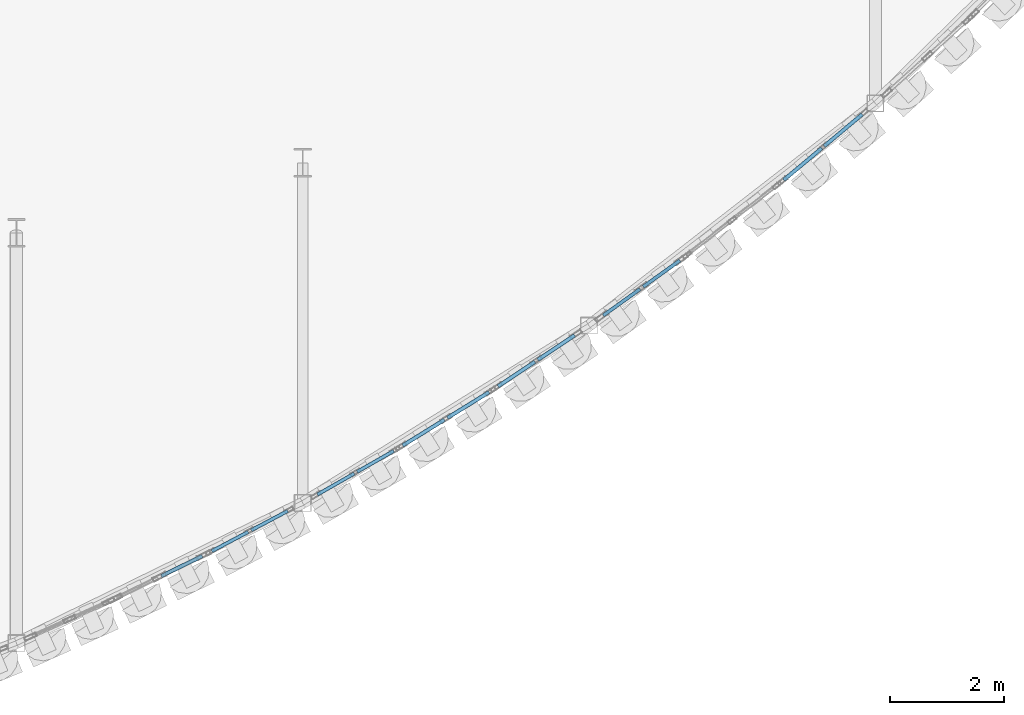
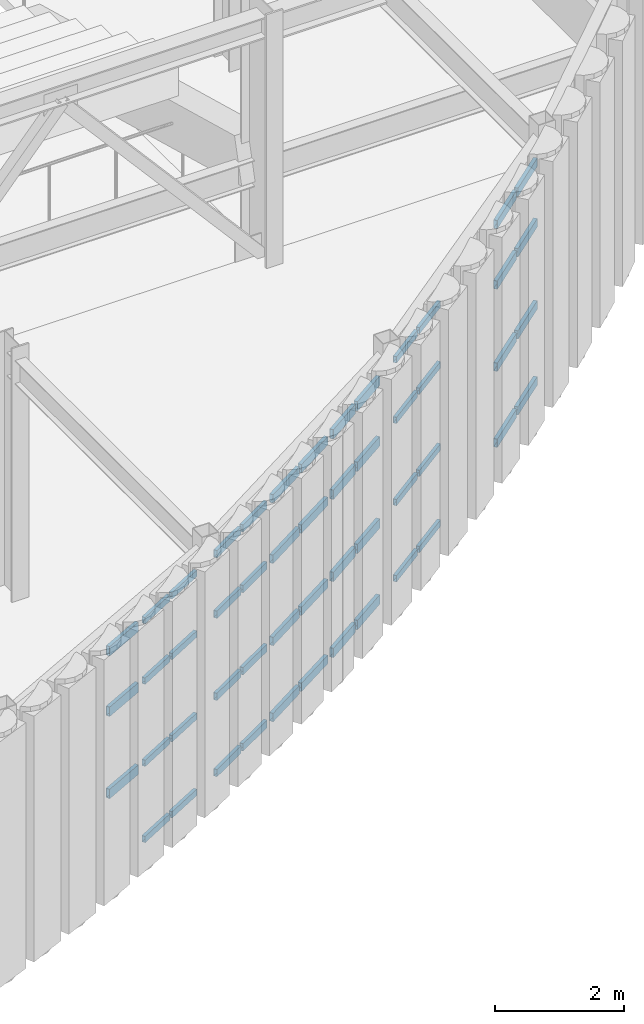
# One storey, part 72 of 121: 51 members, 7 elements without a shape of their own.
"""IFC4 building model written with IfcOpenShell, lengths in metres."""

from ifc_helpers import new_model, si_unit, direction, frame, origin, origin_2d, place, context, subcontext, project, spatial, hollow_rectangle, extrude, material, layer, layer_set, material_profile, profile_set, type_object, element, aggregate, save


model = new_model("IFC4")

# Units and contexts
model_context = context("Model", 3, precision=1e-05, world=origin(), true_north=direction((0.0, 1.0)))
body_context = subcontext(model_context, "Body", "Model", "MODEL_VIEW")
ifc_project = project(units=[si_unit("LENGTHUNIT", "METRE"), si_unit("AREAUNIT", "SQUARE_METRE"), si_unit("VOLUMEUNIT", "CUBIC_METRE"), si_unit("PLANEANGLEUNIT", "RADIAN"), si_unit("MASSUNIT", "GRAM", prefix="KILO")], contexts=[model_context])

# Site, building, storey
site_placement = place(None, origin())
site = spatial("IfcSite", under=ifc_project, at=site_placement, CompositionType="ELEMENT")
building_placement = place(site_placement, origin())
building = spatial("IfcBuilding", under=site, at=building_placement, Name="Solvadek Multi-Sports Hall", CompositionType="ELEMENT")
storey_placement = place(building_placement, frame((0.0, 0.0, 4.800048828125)))
storey = spatial("IfcBuildingStorey", under=building, at=storey_placement, Name="L01", CompositionType="ELEMENT", Elevation=4.800048828125)

# Curtain wall, members
ifc_material = material(Name="Anodised aluminium", Category="aluminium")
ifc_layer_1 = layer(ifc_material, 0.159912109375, Name="Anodised aluminium")
ifc_layer_set_1 = layer_set([ifc_layer_1], Name="Anodised aluminium")
curtain_wall_type_1 = type_object("IfcCurtainWallType", Name="ENV-CW-163X420", PredefinedType="USERDEFINED", material=ifc_layer_set_1)
curtain_wall_1_placement = place(storey_placement, origin())
curtain_wall_1 = element("IfcCurtainWall", 1, at=curtain_wall_1_placement, inside=storey, type_object=curtain_wall_type_1, Name="L01 Crescent Curved Curtain Wall #95", ObjectType="CURTAIN WALL", PredefinedType="USERDEFINED")
ifc_material_profile_1 = material_profile(ifc_material, hollow_rectangle(XDim=0.06005859375, YDim=0.1201171875, WallThickness=0.00390625, at=origin_2d()), Name="ALU-T 120x60x4")
ifc_profile_set_1 = profile_set([ifc_material_profile_1], Name="Anodised aluminium")
member_type_1 = type_object("IfcMemberType", Name="ENV-CWT-01", PredefinedType="USERDEFINED", material=ifc_profile_set_1)
member_1_placement = place(storey_placement, frame((120.07958984375, -6.825927734375, 0.030029296875), z_axis=(0.88354227027, 0.468351424302, 0.0), x_axis=(-0.468351424302, 0.88354227027, 0.0)))
member_1 = element("IfcMember", 2, at=member_1_placement, type_object=member_type_1, Name="CW-15 transom 1.1", ObjectType="TRANSOM", PredefinedType="USERDEFINED", context=body_context, shape_type="SweptSolid", body=[
    extrude(hollow_rectangle(XDim=0.06005859375, YDim=0.1201171875, WallThickness=0.00390625, at=origin_2d()), origin(), (0.0, 0.0, 1.0), 0.7255859375),
])
member_2_placement = place(storey_placement, frame((120.07958984375, -6.825927734375, 1.469970703125), z_axis=(0.88354227027, 0.468351424302, 0.0), x_axis=(-0.468351424302, 0.88354227027, 0.0)))
member_2 = element("IfcMember", 3, at=member_2_placement, type_object=member_type_1, Name="CW-15 transom 1.2", ObjectType="TRANSOM", PredefinedType="USERDEFINED", context=body_context, shape_type="SweptSolid", body=[
    extrude(hollow_rectangle(XDim=0.06005859375, YDim=0.1201171875, WallThickness=0.00390625, at=origin_2d()), origin(), (0.0, 0.0, 1.0), 0.7255859375),
])
member_3_placement = place(storey_placement, frame((120.07958984375, -6.825927734375, 3.02392578125), z_axis=(0.88354227027, 0.468351424302, 0.0), x_axis=(-0.468351424302, 0.88354227027, 0.0)))
member_3 = element("IfcMember", 4, at=member_3_placement, type_object=member_type_1, Name="CW-15 transom 1.3", ObjectType="TRANSOM", PredefinedType="USERDEFINED", context=body_context, shape_type="SweptSolid", body=[
    extrude(hollow_rectangle(XDim=0.06005859375, YDim=0.1201171875, WallThickness=0.00390625, at=origin_2d()), origin(), (0.0, 0.0, 1.0), 0.7255859375),
])
member_4_placement = place(storey_placement, frame((120.07958984375, -6.825927734375, 4.169921875), z_axis=(0.88354227027, 0.468351424302, 0.0), x_axis=(-0.468351424302, 0.88354227027, 0.0)))
member_4 = element("IfcMember", 5, at=member_4_placement, type_object=member_type_1, Name="CW-15 transom 1.4", ObjectType="TRANSOM", PredefinedType="USERDEFINED", context=body_context, shape_type="SweptSolid", body=[
    extrude(hollow_rectangle(XDim=0.06005859375, YDim=0.1201171875, WallThickness=0.00390625, at=origin_2d()), origin(), (0.0, 0.0, 1.0), 0.7255859375),
])
member_5_placement = place(storey_placement, frame((120.773681640625, -6.4580078125, 0.030029296875), z_axis=(0.883681482823, 0.468088706248, 0.0), x_axis=(-0.468088706248, 0.883681482823, 0.0)))
member_5 = element("IfcMember", 6, at=member_5_placement, type_object=member_type_1, Name="CW-15 transom 2.1", ObjectType="TRANSOM", PredefinedType="USERDEFINED", context=body_context, shape_type="SweptSolid", body=[
    extrude(hollow_rectangle(XDim=0.06005859375, YDim=0.1201171875, WallThickness=0.00390625, at=origin_2d()), origin(), (0.0, 0.0, 1.0), 0.7255859375),
])
member_6_placement = place(storey_placement, frame((120.773681640625, -6.4580078125, 1.469970703125), z_axis=(0.883681482823, 0.468088706248, 0.0), x_axis=(-0.468088706248, 0.883681482823, 0.0)))
member_6 = element("IfcMember", 7, at=member_6_placement, type_object=member_type_1, Name="CW-15 transom 2.2", ObjectType="TRANSOM", PredefinedType="USERDEFINED", context=body_context, shape_type="SweptSolid", body=[
    extrude(hollow_rectangle(XDim=0.06005859375, YDim=0.1201171875, WallThickness=0.00390625, at=origin_2d()), origin(), (0.0, 0.0, 1.0), 0.7255859375),
])
member_7_placement = place(storey_placement, frame((120.773681640625, -6.4580078125, 3.02392578125), z_axis=(0.883681482823, 0.468088706248, 0.0), x_axis=(-0.468088706248, 0.883681482823, 0.0)))
member_7 = element("IfcMember", 8, at=member_7_placement, type_object=member_type_1, Name="CW-15 transom 2.3", ObjectType="TRANSOM", PredefinedType="USERDEFINED", context=body_context, shape_type="SweptSolid", body=[
    extrude(hollow_rectangle(XDim=0.06005859375, YDim=0.1201171875, WallThickness=0.00390625, at=origin_2d()), origin(), (0.0, 0.0, 1.0), 0.7255859375),
])
member_8_placement = place(storey_placement, frame((120.773681640625, -6.4580078125, 4.169921875), z_axis=(0.883681482823, 0.468088706248, 0.0), x_axis=(-0.468088706248, 0.883681482823, 0.0)))
member_8 = element("IfcMember", 9, at=member_8_placement, type_object=member_type_1, Name="CW-15 transom 2.4", ObjectType="TRANSOM", PredefinedType="USERDEFINED", context=body_context, shape_type="SweptSolid", body=[
    extrude(hollow_rectangle(XDim=0.06005859375, YDim=0.1201171875, WallThickness=0.00390625, at=origin_2d()), origin(), (0.0, 0.0, 1.0), 0.7255859375),
])
aggregate(curtain_wall_1, [member_1, member_2, member_3, member_4, member_5, member_6, member_7, member_8])

ifc_layer_2 = layer(ifc_material, 0.159912109375, Name="Anodised aluminium")
ifc_layer_set_2 = layer_set([ifc_layer_2], Name="Anodised aluminium")
curtain_wall_type_2 = type_object("IfcCurtainWallType", Name="ENV-CW-180X420", PredefinedType="USERDEFINED", material=ifc_layer_set_2)
curtain_wall_2_placement = place(storey_placement, origin())
curtain_wall_2 = element("IfcCurtainWall", 10, at=curtain_wall_2_placement, inside=storey, type_object=curtain_wall_type_2, Name="L01 Crescent Curved Curtain Wall #103", ObjectType="CURTAIN WALL", PredefinedType="USERDEFINED")
member_9_placement = place(storey_placement, frame((126.9716796875, -2.67626953125, 0.030029296875), z_axis=(0.812110924357, 0.583503081859, 0.0), x_axis=(-0.583503081859, 0.812110924357, 0.0)))
member_9 = element("IfcMember", 11, at=member_9_placement, type_object=member_type_1, Name="CW-33 transom 1.1", ObjectType="TRANSOM", PredefinedType="USERDEFINED", context=body_context, shape_type="SweptSolid", body=[
    extrude(hollow_rectangle(XDim=0.06005859375, YDim=0.1201171875, WallThickness=0.00390625, at=origin_2d()), origin(), (0.0, 0.0, 1.0), 0.79443359375),
])
member_10_placement = place(storey_placement, frame((126.9716796875, -2.67626953125, 1.469970703125), z_axis=(0.812110924357, 0.583503081859, 0.0), x_axis=(-0.583503081859, 0.812110924357, 0.0)))
member_10 = element("IfcMember", 12, at=member_10_placement, type_object=member_type_1, Name="CW-33 transom 1.2", ObjectType="TRANSOM", PredefinedType="USERDEFINED", context=body_context, shape_type="SweptSolid", body=[
    extrude(hollow_rectangle(XDim=0.06005859375, YDim=0.1201171875, WallThickness=0.00390625, at=origin_2d()), origin(), (0.0, 0.0, 1.0), 0.79443359375),
])
member_11_placement = place(storey_placement, frame((126.9716796875, -2.67626953125, 3.02392578125), z_axis=(0.812110924357, 0.583503081859, 0.0), x_axis=(-0.583503081859, 0.812110924357, 0.0)))
member_11 = element("IfcMember", 13, at=member_11_placement, type_object=member_type_1, Name="CW-33 transom 1.3", ObjectType="TRANSOM", PredefinedType="USERDEFINED", context=body_context, shape_type="SweptSolid", body=[
    extrude(hollow_rectangle(XDim=0.06005859375, YDim=0.1201171875, WallThickness=0.00390625, at=origin_2d()), origin(), (0.0, 0.0, 1.0), 0.79443359375),
])
member_12_placement = place(storey_placement, frame((126.9716796875, -2.67626953125, 4.169921875), z_axis=(0.812110924357, 0.583503081859, 0.0), x_axis=(-0.583503081859, 0.812110924357, 0.0)))
member_12 = element("IfcMember", 14, at=member_12_placement, type_object=member_type_1, Name="CW-33 transom 1.4", ObjectType="TRANSOM", PredefinedType="USERDEFINED", context=body_context, shape_type="SweptSolid", body=[
    extrude(hollow_rectangle(XDim=0.06005859375, YDim=0.1201171875, WallThickness=0.00390625, at=origin_2d()), origin(), (0.0, 0.0, 1.0), 0.79443359375),
])
member_13_placement = place(storey_placement, frame((127.673583984375, -2.171630859375, 0.030029296875), z_axis=(0.812256530307, 0.583300376285, 0.0), x_axis=(-0.583300376285, 0.812256530307, 0.0)))
member_13 = element("IfcMember", 15, at=member_13_placement, type_object=member_type_1, Name="CW-33 transom 2.1", ObjectType="TRANSOM", PredefinedType="USERDEFINED", context=body_context, shape_type="SweptSolid", body=[
    extrude(hollow_rectangle(XDim=0.06005859375, YDim=0.1201171875, WallThickness=0.00390625, at=origin_2d()), origin(), (0.0, 0.0, 1.0), 0.79443359375),
])
member_14_placement = place(storey_placement, frame((127.673583984375, -2.171630859375, 1.469970703125), z_axis=(0.812256530307, 0.583300376285, 0.0), x_axis=(-0.583300376285, 0.812256530307, 0.0)))
member_14 = element("IfcMember", 16, at=member_14_placement, type_object=member_type_1, Name="CW-33 transom 2.2", ObjectType="TRANSOM", PredefinedType="USERDEFINED", context=body_context, shape_type="SweptSolid", body=[
    extrude(hollow_rectangle(XDim=0.06005859375, YDim=0.1201171875, WallThickness=0.00390625, at=origin_2d()), origin(), (0.0, 0.0, 1.0), 0.79443359375),
])
member_15_placement = place(storey_placement, frame((127.673583984375, -2.171630859375, 3.02392578125), z_axis=(0.812256530307, 0.583300376285, 0.0), x_axis=(-0.583300376285, 0.812256530307, 0.0)))
member_15 = element("IfcMember", 17, at=member_15_placement, type_object=member_type_1, Name="CW-33 transom 2.3", ObjectType="TRANSOM", PredefinedType="USERDEFINED", context=body_context, shape_type="SweptSolid", body=[
    extrude(hollow_rectangle(XDim=0.06005859375, YDim=0.1201171875, WallThickness=0.00390625, at=origin_2d()), origin(), (0.0, 0.0, 1.0), 0.79443359375),
])
member_16_placement = place(storey_placement, frame((127.673583984375, -2.171630859375, 4.169921875), z_axis=(0.812256530307, 0.583300376285, 0.0), x_axis=(-0.583300376285, 0.812256530307, 0.0)))
member_16 = element("IfcMember", 18, at=member_16_placement, type_object=member_type_1, Name="CW-33 transom 2.4", ObjectType="TRANSOM", PredefinedType="USERDEFINED", context=body_context, shape_type="SweptSolid", body=[
    extrude(hollow_rectangle(XDim=0.06005859375, YDim=0.1201171875, WallThickness=0.00390625, at=origin_2d()), origin(), (0.0, 0.0, 1.0), 0.79443359375),
])
aggregate(curtain_wall_2, [member_9, member_10, member_11, member_12, member_13, member_14, member_15, member_16])

ifc_layer_3 = layer(ifc_material, 0.159912109375, Name="Anodised aluminium")
ifc_layer_set_3 = layer_set([ifc_layer_3], Name="Anodised aluminium")
curtain_wall_type_3 = type_object("IfcCurtainWallType", Name="ENV-CW-167X420", PredefinedType="USERDEFINED", material=ifc_layer_set_3)
curtain_wall_3_placement = place(storey_placement, origin())
curtain_wall_3 = element("IfcCurtainWall", 19, at=curtain_wall_3_placement, inside=storey, type_object=curtain_wall_type_3, Name="L01 Crescent Curved Curtain Wall #97", ObjectType="CURTAIN WALL", PredefinedType="USERDEFINED")
ifc_material_profile_2 = material_profile(ifc_material, hollow_rectangle(XDim=0.06005859375, YDim=0.139892578125, WallThickness=0.00390625, at=origin_2d()), Name="ALU-T 140x60x4")
ifc_profile_set_2 = profile_set([ifc_material_profile_2], Name="Anodised aluminium")
member_type_2 = type_object("IfcMemberType", Name="ENV-CWT-02", PredefinedType="USERDEFINED", material=ifc_profile_set_2)
member_17_placement = place(storey_placement, frame((121.9404296875, -5.828857421875, 0.030029296875), z_axis=(0.867838420174, 0.49684653211, 0.0), x_axis=(-0.49684653211, 0.867838420174, 0.0)))
member_17 = element("IfcMember", 20, at=member_17_placement, type_object=member_type_2, Name="CW-30 transom 1.1", ObjectType="TRANSOM", PredefinedType="USERDEFINED", context=body_context, shape_type="SweptSolid", body=[
    extrude(hollow_rectangle(XDim=0.06005859375, YDim=0.139892578125, WallThickness=0.00390625, at=origin_2d()), origin(), (0.0, 0.0, 1.0), 0.742919921875),
])
member_18_placement = place(storey_placement, frame((121.9404296875, -5.828857421875, 1.469970703125), z_axis=(0.867838420174, 0.49684653211, 0.0), x_axis=(-0.49684653211, 0.867838420174, 0.0)))
member_18 = element("IfcMember", 21, at=member_18_placement, type_object=member_type_2, Name="CW-30 transom 1.2", ObjectType="TRANSOM", PredefinedType="USERDEFINED", context=body_context, shape_type="SweptSolid", body=[
    extrude(hollow_rectangle(XDim=0.06005859375, YDim=0.139892578125, WallThickness=0.00390625, at=origin_2d()), origin(), (0.0, 0.0, 1.0), 0.742919921875),
])
member_19_placement = place(storey_placement, frame((121.9404296875, -5.828857421875, 3.02392578125), z_axis=(0.867838420174, 0.49684653211, 0.0), x_axis=(-0.49684653211, 0.867838420174, 0.0)))
member_19 = element("IfcMember", 22, at=member_19_placement, type_object=member_type_2, Name="CW-30 transom 1.3", ObjectType="TRANSOM", PredefinedType="USERDEFINED", context=body_context, shape_type="SweptSolid", body=[
    extrude(hollow_rectangle(XDim=0.06005859375, YDim=0.139892578125, WallThickness=0.00390625, at=origin_2d()), origin(), (0.0, 0.0, 1.0), 0.742919921875),
])
member_20_placement = place(storey_placement, frame((121.9404296875, -5.828857421875, 4.169921875), z_axis=(0.867838420174, 0.49684653211, 0.0), x_axis=(-0.49684653211, 0.867838420174, 0.0)))
member_20 = element("IfcMember", 23, at=member_20_placement, type_object=member_type_2, Name="CW-30 transom 1.4", ObjectType="TRANSOM", PredefinedType="USERDEFINED", context=body_context, shape_type="SweptSolid", body=[
    extrude(hollow_rectangle(XDim=0.06005859375, YDim=0.139892578125, WallThickness=0.00390625, at=origin_2d()), origin(), (0.0, 0.0, 1.0), 0.742919921875),
])
member_21_placement = place(storey_placement, frame((122.63720703125, -5.4296875, 0.030029296875), z_axis=(0.867838420174, 0.49684653211, 0.0), x_axis=(-0.49684653211, 0.867838420174, 0.0)))
member_21 = element("IfcMember", 24, at=member_21_placement, type_object=member_type_2, Name="CW-30 transom 2.1", ObjectType="TRANSOM", PredefinedType="USERDEFINED", context=body_context, shape_type="SweptSolid", body=[
    extrude(hollow_rectangle(XDim=0.06005859375, YDim=0.139892578125, WallThickness=0.00390625, at=origin_2d()), origin(), (0.0, 0.0, 1.0), 0.742919921875),
])
member_22_placement = place(storey_placement, frame((122.63720703125, -5.4296875, 1.469970703125), z_axis=(0.867838420174, 0.49684653211, 0.0), x_axis=(-0.49684653211, 0.867838420174, 0.0)))
member_22 = element("IfcMember", 25, at=member_22_placement, type_object=member_type_2, Name="CW-30 transom 2.2", ObjectType="TRANSOM", PredefinedType="USERDEFINED", context=body_context, shape_type="SweptSolid", body=[
    extrude(hollow_rectangle(XDim=0.06005859375, YDim=0.139892578125, WallThickness=0.00390625, at=origin_2d()), origin(), (0.0, 0.0, 1.0), 0.742919921875),
])
member_23_placement = place(storey_placement, frame((122.63720703125, -5.4296875, 3.02392578125), z_axis=(0.867838420174, 0.49684653211, 0.0), x_axis=(-0.49684653211, 0.867838420174, 0.0)))
member_23 = element("IfcMember", 26, at=member_23_placement, type_object=member_type_2, Name="CW-30 transom 2.3", ObjectType="TRANSOM", PredefinedType="USERDEFINED", context=body_context, shape_type="SweptSolid", body=[
    extrude(hollow_rectangle(XDim=0.06005859375, YDim=0.139892578125, WallThickness=0.00390625, at=origin_2d()), origin(), (0.0, 0.0, 1.0), 0.742919921875),
])
member_24_placement = place(storey_placement, frame((122.63720703125, -5.4296875, 4.169921875), z_axis=(0.867838420174, 0.49684653211, 0.0), x_axis=(-0.49684653211, 0.867838420174, 0.0)))
member_24 = element("IfcMember", 27, at=member_24_placement, type_object=member_type_2, Name="CW-30 transom 2.4", ObjectType="TRANSOM", PredefinedType="USERDEFINED", context=body_context, shape_type="SweptSolid", body=[
    extrude(hollow_rectangle(XDim=0.06005859375, YDim=0.139892578125, WallThickness=0.00390625, at=origin_2d()), origin(), (0.0, 0.0, 1.0), 0.742919921875),
])
aggregate(curtain_wall_3, [member_17, member_18, member_19, member_20, member_21, member_22, member_23, member_24])

ifc_layer_4 = layer(ifc_material, 0.159912109375, Name="Anodised aluminium")
ifc_layer_set_4 = layer_set([ifc_layer_4], Name="Anodised aluminium")
curtain_wall_type_4 = type_object("IfcCurtainWallType", Name="ENV-CW-192X420", PredefinedType="USERDEFINED", material=ifc_layer_set_4)
curtain_wall_4_placement = place(storey_placement, origin())
curtain_wall_4 = element("IfcCurtainWall", 28, at=curtain_wall_4_placement, inside=storey, type_object=curtain_wall_type_4, Name="L01 Crescent Curved Curtain Wall #99", ObjectType="CURTAIN WALL", PredefinedType="USERDEFINED")
ifc_material_profile_3 = material_profile(ifc_material, hollow_rectangle(XDim=0.06494140625, YDim=0.159912109375, WallThickness=0.00390625, at=origin_2d()), Name="ALU-T 160x65x4")
ifc_profile_set_3 = profile_set([ifc_material_profile_3], Name="Anodised aluminium")
member_type_3 = type_object("IfcMemberType", Name="ENV-CWT-03", PredefinedType="USERDEFINED", material=ifc_profile_set_3)
member_25_placement = place(storey_placement, frame((123.440673828125, -4.9658203125, 0.032470703125), z_axis=(0.850682270514, 0.525680201866, 0.0), x_axis=(-0.525680201866, 0.850682270514, 0.0)))
member_25 = element("IfcMember", 29, at=member_25_placement, type_object=member_type_3, Name="CW-31 transom 1.1", ObjectType="TRANSOM", PredefinedType="USERDEFINED", context=body_context, shape_type="SweptSolid", body=[
    extrude(hollow_rectangle(XDim=0.06494140625, YDim=0.159912109375, WallThickness=0.00390625, at=origin_2d()), origin(), (0.0, 0.0, 1.0), 0.860107421875),
])
member_26_placement = place(storey_placement, frame((123.440673828125, -4.9658203125, 1.469970703125), z_axis=(0.850682270514, 0.525680201866, 0.0), x_axis=(-0.525680201866, 0.850682270514, 0.0)))
member_26 = element("IfcMember", 30, at=member_26_placement, type_object=member_type_3, Name="CW-31 transom 1.2", ObjectType="TRANSOM", PredefinedType="USERDEFINED", context=body_context, shape_type="SweptSolid", body=[
    extrude(hollow_rectangle(XDim=0.06494140625, YDim=0.159912109375, WallThickness=0.00390625, at=origin_2d()), origin(), (0.0, 0.0, 1.0), 0.860107421875),
])
member_27_placement = place(storey_placement, frame((123.440673828125, -4.9658203125, 3.02392578125), z_axis=(0.850682270514, 0.525680201866, 0.0), x_axis=(-0.525680201866, 0.850682270514, 0.0)))
member_27 = element("IfcMember", 31, at=member_27_placement, type_object=member_type_3, Name="CW-31 transom 1.3", ObjectType="TRANSOM", PredefinedType="USERDEFINED", context=body_context, shape_type="SweptSolid", body=[
    extrude(hollow_rectangle(XDim=0.06494140625, YDim=0.159912109375, WallThickness=0.00390625, at=origin_2d()), origin(), (0.0, 0.0, 1.0), 0.860107421875),
])
member_28_placement = place(storey_placement, frame((123.440673828125, -4.9658203125, 4.16748046875), z_axis=(0.850682270514, 0.525680201866, 0.0), x_axis=(-0.525680201866, 0.850682270514, 0.0)))
member_28 = element("IfcMember", 32, at=member_28_placement, type_object=member_type_3, Name="CW-31 transom 1.4", ObjectType="TRANSOM", PredefinedType="USERDEFINED", context=body_context, shape_type="SweptSolid", body=[
    extrude(hollow_rectangle(XDim=0.06494140625, YDim=0.159912109375, WallThickness=0.00390625, at=origin_2d()), origin(), (0.0, 0.0, 1.0), 0.860107421875),
])
member_29_placement = place(storey_placement, frame((124.2275390625, -4.4794921875, 0.032470703125), z_axis=(0.850555333096, 0.525885562972, 0.0), x_axis=(-0.525885562972, 0.850555333096, 0.0)))
member_29 = element("IfcMember", 33, at=member_29_placement, type_object=member_type_3, Name="CW-31 transom 2.1", ObjectType="TRANSOM", PredefinedType="USERDEFINED", context=body_context, shape_type="SweptSolid", body=[
    extrude(hollow_rectangle(XDim=0.06494140625, YDim=0.159912109375, WallThickness=0.00390625, at=origin_2d()), origin(), (0.0, 0.0, 1.0), 0.8603515625),
])
member_30_placement = place(storey_placement, frame((124.2275390625, -4.4794921875, 1.469970703125), z_axis=(0.850555333096, 0.525885562972, 0.0), x_axis=(-0.525885562972, 0.850555333096, 0.0)))
member_30 = element("IfcMember", 34, at=member_30_placement, type_object=member_type_3, Name="CW-31 transom 2.2", ObjectType="TRANSOM", PredefinedType="USERDEFINED", context=body_context, shape_type="SweptSolid", body=[
    extrude(hollow_rectangle(XDim=0.06494140625, YDim=0.159912109375, WallThickness=0.00390625, at=origin_2d()), origin(), (0.0, 0.0, 1.0), 0.8603515625),
])
member_31_placement = place(storey_placement, frame((124.2275390625, -4.4794921875, 3.02392578125), z_axis=(0.850555333096, 0.525885562972, 0.0), x_axis=(-0.525885562972, 0.850555333096, 0.0)))
member_31 = element("IfcMember", 35, at=member_31_placement, type_object=member_type_3, Name="CW-31 transom 2.3", ObjectType="TRANSOM", PredefinedType="USERDEFINED", context=body_context, shape_type="SweptSolid", body=[
    extrude(hollow_rectangle(XDim=0.06494140625, YDim=0.159912109375, WallThickness=0.00390625, at=origin_2d()), origin(), (0.0, 0.0, 1.0), 0.8603515625),
])
member_32_placement = place(storey_placement, frame((124.2275390625, -4.4794921875, 4.16748046875), z_axis=(0.850555333096, 0.525885562972, 0.0), x_axis=(-0.525885562972, 0.850555333096, 0.0)))
member_32 = element("IfcMember", 36, at=member_32_placement, type_object=member_type_3, Name="CW-31 transom 2.4", ObjectType="TRANSOM", PredefinedType="USERDEFINED", context=body_context, shape_type="SweptSolid", body=[
    extrude(hollow_rectangle(XDim=0.06494140625, YDim=0.159912109375, WallThickness=0.00390625, at=origin_2d()), origin(), (0.0, 0.0, 1.0), 0.8603515625),
])
aggregate(curtain_wall_4, [member_25, member_26, member_27, member_28, member_29, member_30, member_31, member_32])

curtain_wall_5_placement = place(storey_placement, origin())
curtain_wall_5 = element("IfcCurtainWall", 37, at=curtain_wall_5_placement, inside=storey, type_object=curtain_wall_type_4, Name="L01 Crescent Curved Curtain Wall #107", ObjectType="CURTAIN WALL", PredefinedType="USERDEFINED")
member_33_placement = place(storey_placement, frame((130.14892578125, -0.29052734375, 0.032470703125), z_axis=(0.767162227969, 0.641453128434, 0.0), x_axis=(-0.641453128434, 0.767162227969, 0.0)))
member_33 = element("IfcMember", 38, at=member_33_placement, type_object=member_type_3, Name="CW-31 transom 1.1", ObjectType="TRANSOM", PredefinedType="USERDEFINED", context=body_context, shape_type="SweptSolid", body=[
    extrude(hollow_rectangle(XDim=0.06494140625, YDim=0.159912109375, WallThickness=0.00390625, at=origin_2d()), origin(), (0.0, 0.0, 1.0), 0.8701171875),
])
member_34_placement = place(storey_placement, frame((130.14892578125, -0.29052734375, 1.469970703125), z_axis=(0.767162227969, 0.641453128434, 0.0), x_axis=(-0.641453128434, 0.767162227969, 0.0)))
member_34 = element("IfcMember", 39, at=member_34_placement, type_object=member_type_3, Name="CW-31 transom 1.2", ObjectType="TRANSOM", PredefinedType="USERDEFINED", context=body_context, shape_type="SweptSolid", body=[
    extrude(hollow_rectangle(XDim=0.06494140625, YDim=0.159912109375, WallThickness=0.00390625, at=origin_2d()), origin(), (0.0, 0.0, 1.0), 0.8701171875),
])
member_35_placement = place(storey_placement, frame((130.14892578125, -0.29052734375, 3.02392578125), z_axis=(0.767162227969, 0.641453128434, 0.0), x_axis=(-0.641453128434, 0.767162227969, 0.0)))
member_35 = element("IfcMember", 40, at=member_35_placement, type_object=member_type_3, Name="CW-31 transom 1.3", ObjectType="TRANSOM", PredefinedType="USERDEFINED", context=body_context, shape_type="SweptSolid", body=[
    extrude(hollow_rectangle(XDim=0.06494140625, YDim=0.159912109375, WallThickness=0.00390625, at=origin_2d()), origin(), (0.0, 0.0, 1.0), 0.8701171875),
])
member_36_placement = place(storey_placement, frame((130.14892578125, -0.29052734375, 4.16748046875), z_axis=(0.767162227969, 0.641453128434, 0.0), x_axis=(-0.641453128434, 0.767162227969, 0.0)))
member_36 = element("IfcMember", 41, at=member_36_placement, type_object=member_type_3, Name="CW-31 transom 1.4", ObjectType="TRANSOM", PredefinedType="USERDEFINED", context=body_context, shape_type="SweptSolid", body=[
    extrude(hollow_rectangle(XDim=0.06494140625, YDim=0.159912109375, WallThickness=0.00390625, at=origin_2d()), origin(), (0.0, 0.0, 1.0), 0.8701171875),
])
member_37_placement = place(storey_placement, frame((130.862548828125, 0.305908203125, 0.032470703125), z_axis=(0.767184863093, 0.64142605641, 0.0), x_axis=(-0.64142605641, 0.767184863093, 0.0)))
member_37 = element("IfcMember", 42, at=member_37_placement, type_object=member_type_3, Name="CW-31 transom 2.1", ObjectType="TRANSOM", PredefinedType="USERDEFINED", context=body_context, shape_type="SweptSolid", body=[
    extrude(hollow_rectangle(XDim=0.06494140625, YDim=0.159912109375, WallThickness=0.00390625, at=origin_2d()), origin(), (0.0, 0.0, 1.0), 0.86962890625),
])
member_38_placement = place(storey_placement, frame((130.862548828125, 0.305908203125, 1.469970703125), z_axis=(0.767184863093, 0.64142605641, 0.0), x_axis=(-0.64142605641, 0.767184863093, 0.0)))
member_38 = element("IfcMember", 43, at=member_38_placement, type_object=member_type_3, Name="CW-31 transom 2.2", ObjectType="TRANSOM", PredefinedType="USERDEFINED", context=body_context, shape_type="SweptSolid", body=[
    extrude(hollow_rectangle(XDim=0.06494140625, YDim=0.159912109375, WallThickness=0.00390625, at=origin_2d()), origin(), (0.0, 0.0, 1.0), 0.86962890625),
])
member_39_placement = place(storey_placement, frame((130.862548828125, 0.305908203125, 3.02392578125), z_axis=(0.767184863093, 0.64142605641, 0.0), x_axis=(-0.64142605641, 0.767184863093, 0.0)))
member_39 = element("IfcMember", 44, at=member_39_placement, type_object=member_type_3, Name="CW-31 transom 2.3", ObjectType="TRANSOM", PredefinedType="USERDEFINED", context=body_context, shape_type="SweptSolid", body=[
    extrude(hollow_rectangle(XDim=0.06494140625, YDim=0.159912109375, WallThickness=0.00390625, at=origin_2d()), origin(), (0.0, 0.0, 1.0), 0.86962890625),
])
member_40_placement = place(storey_placement, frame((130.862548828125, 0.305908203125, 4.16748046875), z_axis=(0.767184863093, 0.64142605641, 0.0), x_axis=(-0.64142605641, 0.767184863093, 0.0)))
member_40 = element("IfcMember", 45, at=member_40_placement, type_object=member_type_3, Name="CW-31 transom 2.4", ObjectType="TRANSOM", PredefinedType="USERDEFINED", context=body_context, shape_type="SweptSolid", body=[
    extrude(hollow_rectangle(XDim=0.06494140625, YDim=0.159912109375, WallThickness=0.00390625, at=origin_2d()), origin(), (0.0, 0.0, 1.0), 0.86962890625),
])
aggregate(curtain_wall_5, [member_33, member_34, member_35, member_36, member_37, member_38, member_39, member_40])

ifc_layer_5 = layer(ifc_material, 0.159912109375, Name="Anodised aluminium")
ifc_layer_set_5 = layer_set([ifc_layer_5], Name="Anodised aluminium")
curtain_wall_type_5 = type_object("IfcCurtainWallType", Name="ENV-CW-181X420", PredefinedType="USERDEFINED", material=ifc_layer_set_5)
curtain_wall_6_placement = place(storey_placement, origin())
curtain_wall_6 = element("IfcCurtainWall", 46, at=curtain_wall_6_placement, inside=storey, type_object=curtain_wall_type_5, Name="L01 Crescent Curved Curtain Wall #93", ObjectType="CURTAIN WALL", PredefinedType="USERDEFINED")
ifc_material_profile_4 = material_profile(ifc_material, hollow_rectangle(XDim=0.06494140625, YDim=0.179931640625, WallThickness=0.0048828125, at=origin_2d()), Name="ALU-T 180x65x5")
ifc_profile_set_4 = profile_set([ifc_material_profile_4], Name="Anodised aluminium")
member_type_4 = type_object("IfcMemberType", Name="ENV-CWT-04", PredefinedType="USERDEFINED", material=ifc_profile_set_4)
member_41_placement = place(storey_placement, frame((119.19140625, -7.26318359375, 1.469970703125), z_axis=(0.898419144267, 0.439138977106, 0.0), x_axis=(-0.439138977106, 0.898419144267, 0.0)))
member_41 = element("IfcMember", 47, at=member_41_placement, type_object=member_type_4, Name="CW-16 transom 2.2", ObjectType="TRANSOM", PredefinedType="USERDEFINED", context=body_context, shape_type="SweptSolid", body=[
    extrude(hollow_rectangle(XDim=0.06494140625, YDim=0.179931640625, WallThickness=0.0048828125, at=origin_2d()), origin(), (0.0, 0.0, 1.0), 0.800048828125),
])
member_42_placement = place(storey_placement, frame((119.19140625, -7.26318359375, 3.02392578125), z_axis=(0.898419144267, 0.439138977106, 0.0), x_axis=(-0.439138977106, 0.898419144267, 0.0)))
member_42 = element("IfcMember", 48, at=member_42_placement, type_object=member_type_4, Name="CW-16 transom 2.3", ObjectType="TRANSOM", PredefinedType="USERDEFINED", context=body_context, shape_type="SweptSolid", body=[
    extrude(hollow_rectangle(XDim=0.06494140625, YDim=0.179931640625, WallThickness=0.0048828125, at=origin_2d()), origin(), (0.0, 0.0, 1.0), 0.800048828125),
])
member_43_placement = place(storey_placement, frame((119.19140625, -7.26318359375, 4.16748046875), z_axis=(0.898419144267, 0.439138977106, 0.0), x_axis=(-0.439138977106, 0.898419144267, 0.0)))
member_43 = element("IfcMember", 49, at=member_43_placement, type_object=member_type_4, Name="CW-16 transom 2.4", ObjectType="TRANSOM", PredefinedType="USERDEFINED", context=body_context, shape_type="SweptSolid", body=[
    extrude(hollow_rectangle(XDim=0.06494140625, YDim=0.179931640625, WallThickness=0.0048828125, at=origin_2d()), origin(), (0.0, 0.0, 1.0), 0.800048828125),
])
aggregate(curtain_wall_6, [member_41, member_42, member_43])

ifc_layer_6 = layer(ifc_material, 0.159912109375, Name="Anodised aluminium")
ifc_layer_set_6 = layer_set([ifc_layer_6], Name="Anodised aluminium")
curtain_wall_type_6 = type_object("IfcCurtainWallType", Name="ENV-CW-175X420", PredefinedType="USERDEFINED", material=ifc_layer_set_6)
curtain_wall_7_placement = place(storey_placement, origin())
curtain_wall_7 = element("IfcCurtainWall", 50, at=curtain_wall_7_placement, inside=storey, type_object=curtain_wall_type_6, Name="L01 Crescent Curved Curtain Wall #101", ObjectType="CURTAIN WALL", PredefinedType="USERDEFINED")
member_44_placement = place(storey_placement, frame((125.119140625, -3.924560546875, 0.032470703125), z_axis=(0.831953610355, 0.554845194822, 0.0), x_axis=(-0.554845194822, 0.831953610355, 0.0)))
member_44 = element("IfcMember", 51, at=member_44_placement, type_object=member_type_4, Name="CW-32 transom 1.1", ObjectType="TRANSOM", PredefinedType="USERDEFINED", context=body_context, shape_type="SweptSolid", body=[
    extrude(hollow_rectangle(XDim=0.06494140625, YDim=0.179931640625, WallThickness=0.0048828125, at=origin_2d()), origin(), (0.0, 0.0, 1.0), 0.777099609375),
])
member_45_placement = place(storey_placement, frame((125.119140625, -3.924560546875, 1.469970703125), z_axis=(0.831953610355, 0.554845194822, 0.0), x_axis=(-0.554845194822, 0.831953610355, 0.0)))
member_45 = element("IfcMember", 52, at=member_45_placement, type_object=member_type_4, Name="CW-32 transom 1.2", ObjectType="TRANSOM", PredefinedType="USERDEFINED", context=body_context, shape_type="SweptSolid", body=[
    extrude(hollow_rectangle(XDim=0.06494140625, YDim=0.179931640625, WallThickness=0.0048828125, at=origin_2d()), origin(), (0.0, 0.0, 1.0), 0.777099609375),
])
member_46_placement = place(storey_placement, frame((125.119140625, -3.924560546875, 3.02392578125), z_axis=(0.831953610355, 0.554845194822, 0.0), x_axis=(-0.554845194822, 0.831953610355, 0.0)))
member_46 = element("IfcMember", 53, at=member_46_placement, type_object=member_type_4, Name="CW-32 transom 1.3", ObjectType="TRANSOM", PredefinedType="USERDEFINED", context=body_context, shape_type="SweptSolid", body=[
    extrude(hollow_rectangle(XDim=0.06494140625, YDim=0.179931640625, WallThickness=0.0048828125, at=origin_2d()), origin(), (0.0, 0.0, 1.0), 0.777099609375),
])
member_47_placement = place(storey_placement, frame((125.119140625, -3.924560546875, 4.16748046875), z_axis=(0.831953610355, 0.554845194822, 0.0), x_axis=(-0.554845194822, 0.831953610355, 0.0)))
member_47 = element("IfcMember", 54, at=member_47_placement, type_object=member_type_4, Name="CW-32 transom 1.4", ObjectType="TRANSOM", PredefinedType="USERDEFINED", context=body_context, shape_type="SweptSolid", body=[
    extrude(hollow_rectangle(XDim=0.06494140625, YDim=0.179931640625, WallThickness=0.0048828125, at=origin_2d()), origin(), (0.0, 0.0, 1.0), 0.777099609375),
])
member_48_placement = place(storey_placement, frame((125.819580078125, -3.457275390625, 0.032470703125), z_axis=(0.832195260295, 0.554482685701, 0.0), x_axis=(-0.554482685701, 0.832195260295, 0.0)))
member_48 = element("IfcMember", 55, at=member_48_placement, type_object=member_type_4, Name="CW-32 transom 2.1", ObjectType="TRANSOM", PredefinedType="USERDEFINED", context=body_context, shape_type="SweptSolid", body=[
    extrude(hollow_rectangle(XDim=0.06494140625, YDim=0.179931640625, WallThickness=0.0048828125, at=origin_2d()), origin(), (0.0, 0.0, 1.0), 0.777099609375),
])
member_49_placement = place(storey_placement, frame((125.819580078125, -3.457275390625, 1.469970703125), z_axis=(0.832195260295, 0.554482685701, 0.0), x_axis=(-0.554482685701, 0.832195260295, 0.0)))
member_49 = element("IfcMember", 56, at=member_49_placement, type_object=member_type_4, Name="CW-32 transom 2.2", ObjectType="TRANSOM", PredefinedType="USERDEFINED", context=body_context, shape_type="SweptSolid", body=[
    extrude(hollow_rectangle(XDim=0.06494140625, YDim=0.179931640625, WallThickness=0.0048828125, at=origin_2d()), origin(), (0.0, 0.0, 1.0), 0.777099609375),
])
member_50_placement = place(storey_placement, frame((125.819580078125, -3.457275390625, 3.02392578125), z_axis=(0.832195260295, 0.554482685701, 0.0), x_axis=(-0.554482685701, 0.832195260295, 0.0)))
member_50 = element("IfcMember", 57, at=member_50_placement, type_object=member_type_4, Name="CW-32 transom 2.3", ObjectType="TRANSOM", PredefinedType="USERDEFINED", context=body_context, shape_type="SweptSolid", body=[
    extrude(hollow_rectangle(XDim=0.06494140625, YDim=0.179931640625, WallThickness=0.0048828125, at=origin_2d()), origin(), (0.0, 0.0, 1.0), 0.777099609375),
])
member_51_placement = place(storey_placement, frame((125.819580078125, -3.457275390625, 4.16748046875), z_axis=(0.832195260295, 0.554482685701, 0.0), x_axis=(-0.554482685701, 0.832195260295, 0.0)))
member_51 = element("IfcMember", 58, at=member_51_placement, type_object=member_type_4, Name="CW-32 transom 2.4", ObjectType="TRANSOM", PredefinedType="USERDEFINED", context=body_context, shape_type="SweptSolid", body=[
    extrude(hollow_rectangle(XDim=0.06494140625, YDim=0.179931640625, WallThickness=0.0048828125, at=origin_2d()), origin(), (0.0, 0.0, 1.0), 0.777099609375),
])
aggregate(curtain_wall_7, [member_44, member_45, member_46, member_47, member_48, member_49, member_50, member_51])

save(model, "model.ifc")
